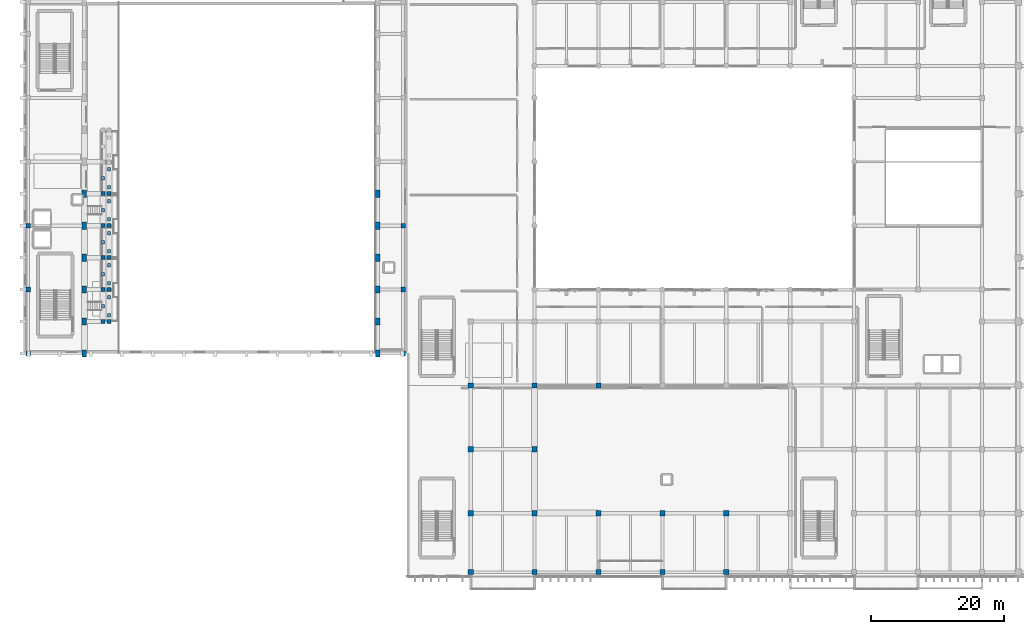
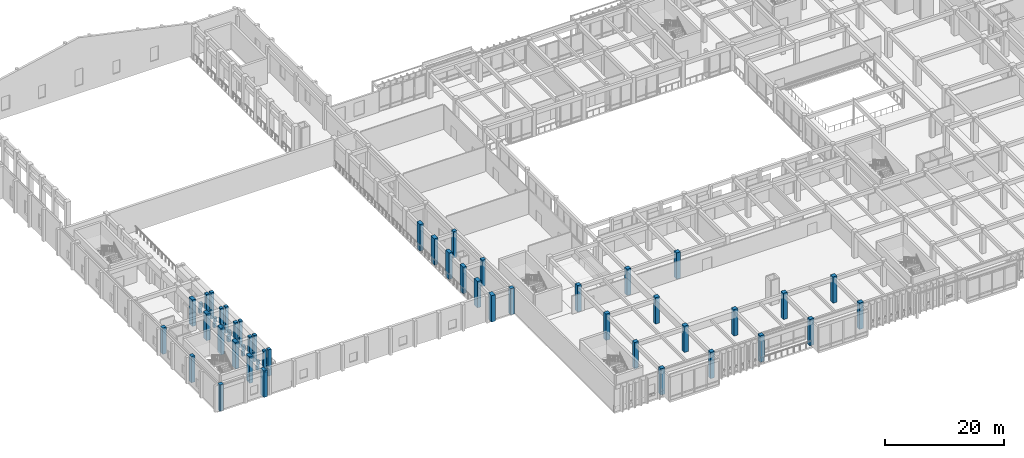
# One storey, part 1 of 134: 58 columns.
"""IFC4 building model written with IfcOpenShell, lengths in metres."""

import ifcopenshell
import ifcopenshell.guid

model = None  # the IFC model being written
_history = None  # IfcOwnerHistory: only IFC2X3 demands one
_inside = {}  # id of a spatial element -> (the spatial element, [elements in it])
_under = {}  # id of a project, library or spatial element -> (it, [spatial elements below it])
_declared = {}  # id of a project -> (the project, [libraries it declares])
_typed = {}  # id of a type object -> (the type object, [elements of that type])
_made_of = {}  # id of a material, layer set ... -> (it, [elements and type objects made of it])


def new_model(schema):
    """Start an empty IFC model of exactly this schema.

    Asked for "IFC4X3", IfcOpenShell would pick the latest addendum, in which some entities
    have other attributes; the version numbers below select the first issue.
    IFC2X3 requires an IfcOwnerHistory on every rooted entity: one is made here for all.
    """
    global model, _history
    if schema == "IFC4X3":
        model = ifcopenshell.file(schema_version=(4, 3, 0, 0))
    else:
        model = ifcopenshell.file(schema=schema)
    _inside.clear()
    _under.clear()
    _declared.clear()
    _typed.clear()
    _made_of.clear()
    _history = None
    if model.schema == "IFC2X3":
        org = make("IfcOrganization", Name="unknown")
        user = make(
            "IfcPersonAndOrganization",
            ThePerson=make("IfcPerson", FamilyName="unknown"),
            TheOrganization=org,
        )
        app = make(
            "IfcApplication",
            ApplicationDeveloper=org,
            Version="unknown",
            ApplicationFullName="unknown",
            ApplicationIdentifier="unknown",
        )
        _history = make(
            "IfcOwnerHistory",
            OwningUser=user,
            OwningApplication=app,
            ChangeAction="ADDED",
            CreationDate=0,
        )
    return model


def make(cls, **values):
    """One entity of the class cls with the attributes given. An attribute that is None is left unset."""
    return model.create_entity(
        cls, **{name: value for name, value in values.items() if value is not None}
    )


def rooted(cls, **values):
    """An entity with a GlobalId (a new one), such as an element, a storey or a relation."""
    return make(cls, GlobalId=ifcopenshell.guid.new(), OwnerHistory=_history, **values)


def si_unit(unit_type, name, prefix=None):
    """IfcSIUnit, for example si_unit("LENGTHUNIT", "METRE", prefix="MILLI")."""
    return make("IfcSIUnit", UnitType=unit_type, Prefix=prefix, Name=name)


def assignment(units):
    """IfcUnitAssignment: the units of a project."""
    return None if units is None else make("IfcUnitAssignment", Units=units)


def point(xyz):
    """IfcCartesianPoint."""
    return None if xyz is None else make("IfcCartesianPoint", Coordinates=xyz)


def direction(xyz):
    """IfcDirection."""
    return None if xyz is None else make("IfcDirection", DirectionRatios=xyz)


def frame(location, z_axis=None, x_axis=None):
    """IfcAxis2Placement3D, a coordinate frame: its origin and axes. An axis left out is left unset."""
    return make(
        "IfcAxis2Placement3D",
        Location=point(location),
        Axis=direction(z_axis),
        RefDirection=direction(x_axis),
    )


def frame_2d(location, x_axis=None):
    """IfcAxis2Placement2D, a coordinate frame in the plane: its origin and x axis."""
    return make(
        "IfcAxis2Placement2D", Location=point(location), RefDirection=direction(x_axis)
    )


def origin():
    """The frame at (0, 0, 0) with its axes left unset."""
    return frame((0.0, 0.0, 0.0))


def origin_2d():
    """The frame at (0, 0) in the plane with its x axis left unset."""
    return frame_2d((0.0, 0.0))


def place(relative_to, where):
    """IfcLocalPlacement: puts the frame where relative to a parent placement (None: the world)."""
    return make(
        "IfcLocalPlacement", PlacementRelTo=relative_to, RelativePlacement=where
    )


def context(
    kind, dimensions, precision=None, world=None, true_north=None, identifier=None
):
    """IfcGeometricRepresentationContext, for example the 3D "Model" context."""
    return make(
        "IfcGeometricRepresentationContext",
        ContextIdentifier=identifier,
        ContextType=kind,
        CoordinateSpaceDimension=dimensions,
        Precision=precision,
        WorldCoordinateSystem=world,
        TrueNorth=true_north,
    )


def subcontext(parent, identifier, kind, view, scale=None):
    """IfcGeometricRepresentationSubContext, for example "Body" below "Model"."""
    return make(
        "IfcGeometricRepresentationSubContext",
        ContextIdentifier=identifier,
        ContextType=kind,
        ParentContext=parent,
        TargetScale=scale,
        TargetView=view,
    )


def project(units=None, contexts=None):
    """IfcProject with its units and contexts."""
    return rooted(
        "IfcProject",
        Name="project",
        RepresentationContexts=contexts,
        UnitsInContext=assignment(units),
    )


def spatial(cls, under=None, at=None, **own):
    """A site, building, storey or space (cls), placed at a placement, below another one or the project."""
    s = rooted(cls, ObjectPlacement=at, **own)
    if under is not None:
        _under.setdefault(under.id(), (under, []))[1].append(s)
    return s


def profile(cls, at=None, kind="AREA", **sizes):
    """A parametric profile (cls). Its sizes go by their IFC names, for example OverallWidth=200.0."""
    return make(cls, ProfileType=kind, Position=at, **sizes)


def rectangle(**sizes):
    """IfcRectangleProfileDef."""
    return profile("IfcRectangleProfileDef", **sizes)


def extrude(swept, where, along, depth):
    """IfcExtrudedAreaSolid: the profile swept, set in the frame where, extruded along a direction by depth."""
    return make(
        "IfcExtrudedAreaSolid",
        SweptArea=swept,
        Position=where,
        ExtrudedDirection=direction(along),
        Depth=depth,
    )


def shape(context_of_items, identifier, shape_type, items):
    """IfcShapeRepresentation: the items that make up one representation, for example the "Body"."""
    return make(
        "IfcShapeRepresentation",
        ContextOfItems=context_of_items,
        RepresentationIdentifier=identifier,
        RepresentationType=shape_type,
        Items=items,
    )


def material(Name=None, Category=None):
    """IfcMaterial."""
    return make("IfcMaterial", Name=Name, Category=Category)


def material_profile(
    of_material, cross_section, Name=None, Category=None, Priority=None
):
    """IfcMaterialProfile: a cross section and its material."""
    return make(
        "IfcMaterialProfile",
        Name=Name,
        Material=of_material,
        Profile=cross_section,
        Priority=Priority,
        Category=Category,
    )


def profile_set(profiles, Name=None, composite=None):
    """IfcMaterialProfileSet."""
    return make(
        "IfcMaterialProfileSet",
        Name=Name,
        MaterialProfiles=profiles,
        CompositeProfile=composite,
    )


def made_of(thing, what):
    """Note that an element or type object is made of a material, layer set ...; save() writes the relation."""
    if what is not None:
        _made_of.setdefault(what.id(), (what, []))[1].append(thing)
    return thing


def type_object(cls, material=None, **own):
    """A type object (cls), such as IfcWallType, which elements share."""
    return made_of(rooted(cls, **own), material)


def element(
    cls,
    number,
    at=None,
    inside=None,
    cuts=None,
    type_object=None,
    material=None,
    context=None,
    identifier="Body",
    shape_type=None,
    held_by="IfcProductDefinitionShape",
    body=None,
    shapes=None,
    **own,
):
    """One element of the class cls, such as IfcWall. Its Tag is "e" and its number.

    at: its placement. inside: the storey or other place that contains it. cuts: it is an
    opening in that element (IfcRelVoidsElement). A single representation is given by context,
    identifier, shape_type and body (its items); several are given by shapes. held_by: the class
    of the entity that holds the representations. save() writes the other relations.
    """
    e = rooted(cls, Tag="e%d" % number, ObjectPlacement=at, **own)
    if body is not None:
        shapes = [shape(context, identifier, shape_type, body)]
    if shapes is not None:
        e.Representation = make(held_by, Representations=shapes)
    if inside is not None:
        _inside.setdefault(inside.id(), (inside, []))[1].append(e)
    if cuts is not None:
        rooted(
            "IfcRelVoidsElement", RelatingBuildingElement=cuts, RelatedOpeningElement=e
        )
    if type_object is not None:
        _typed.setdefault(type_object.id(), (type_object, []))[1].append(e)
    return made_of(e, material)


def aggregate(whole, parts):
    """IfcRelAggregates: a whole, such as a stair, and the parts it consists of."""
    return rooted("IfcRelAggregates", RelatingObject=whole, RelatedObjects=parts)


def save(model, path):
    """Write the relations noted so far, then the file.

    IfcRelAggregates (storeys below a building ...), IfcRelContainedInSpatialStructure (elements
    in a storey), IfcRelDefinesByType, IfcRelAssociatesMaterial and IfcRelDeclares: one each for
    every whole, place, type object, material and project.
    """
    for whole, parts in _under.values():
        aggregate(whole, parts)
    for where, things in _inside.values():
        rooted(
            "IfcRelContainedInSpatialStructure",
            RelatedElements=things,
            RelatingStructure=where,
        )
    for kind, things in _typed.values():
        rooted("IfcRelDefinesByType", RelatedObjects=things, RelatingType=kind)
    for what, things in _made_of.values():
        rooted("IfcRelAssociatesMaterial", RelatedObjects=things, RelatingMaterial=what)
    for by, libraries in _declared.values():
        rooted("IfcRelDeclares", RelatingContext=by, RelatedDefinitions=libraries)
    model.write(path)


model = new_model("IFC4")

# Units and contexts
model_context = context("Model", 3, precision=1e-05, world=origin(), true_north=direction((0.0, 1.0)))
body_context = subcontext(model_context, "Body", "Model", "MODEL_VIEW")
ifc_project = project(units=[si_unit("LENGTHUNIT", "METRE"), si_unit("AREAUNIT", "SQUARE_METRE"), si_unit("VOLUMEUNIT", "CUBIC_METRE"), si_unit("PLANEANGLEUNIT", "RADIAN"), si_unit("MASSUNIT", "GRAM", prefix="KILO")], contexts=[model_context])

# Site, building, storey
site_placement = place(None, origin())
site = spatial("IfcSite", under=ifc_project, at=site_placement, CompositionType="ELEMENT")
building_placement = place(site_placement, origin())
building = spatial("IfcBuilding", under=site, at=building_placement, Name="Nakhvara Creek Congress Hotel", CompositionType="ELEMENT")
storey_placement = place(building_placement, frame((0.0, 0.0, 6.0)))
storey = spatial("IfcBuildingStorey", under=building, at=storey_placement, Name="L01", CompositionType="ELEMENT", Elevation=6.0)

# Columns
ifc_material = material(Name="Concrete C50/60", Category="concrete")
ifc_material_profile_1 = material_profile(ifc_material, rectangle(XDim=0.5, YDim=0.5, at=origin_2d()), Name="RC-COL 500x500", Category="LoadBearing")
ifc_profile_set_1 = profile_set([ifc_material_profile_1], Name="Concrete C50/60")
column_type_1 = type_object("IfcColumnType", Name="COL-RC-500", PredefinedType="COLUMN", material=ifc_profile_set_1)
for number, where, z_axis, x_axis, name in (
    (1, (12.85009765625, 39.35009765625, 0.0), (0.0, 0.0, 1.0), (1.0, 0.0, 0.0), "Congress Stand Riser Pier L01-1.1"),
    (2, (12.85009765625, 42.050048828125, 0.0), (0.0, 0.0, 1.0), (1.0, 0.0, 0.0), "Congress Stand Riser Pier L01-1.2"),
    (3, (11.949951171875, 40.699951171875, 0.0), (0.0, 0.0, 1.0), (1.0, 0.0, 0.0), "Congress Stand Riser Pier L01-1.3"),
):
    element("IfcColumn", number, at=place(storey_placement, frame(where, z_axis=z_axis, x_axis=x_axis)), inside=storey, type_object=column_type_1, Name=name, PredefinedType="COLUMN", context=body_context, shape_type="SweptSolid", body=[
        extrude(rectangle(XDim=0.5, YDim=0.5, at=origin_2d()), origin(), (0.0, 0.0, 1.0), 0.860107421875),
    ])
for number, where, z_axis, x_axis, name in (
    (4, (12.85009765625, 44.14990234375, 0.0), (0.0, 0.0, 1.0), (1.0, 0.0, 0.0), "Congress Stand Riser Pier L01-2.1"),
    (5, (12.85009765625, 46.85009765625, 0.0), (0.0, 0.0, 1.0), (1.0, 0.0, 0.0), "Congress Stand Riser Pier L01-2.2"),
    (6, (11.949951171875, 45.5, 0.0), (0.0, 0.0, 1.0), (1.0, 0.0, 0.0), "Congress Stand Riser Pier L01-2.3"),
):
    element("IfcColumn", number, at=place(storey_placement, frame(where, z_axis=z_axis, x_axis=x_axis)), inside=storey, type_object=column_type_1, Name=name, PredefinedType="COLUMN", context=body_context, shape_type="SweptSolid", body=[
        extrude(rectangle(XDim=0.5, YDim=0.5, at=origin_2d()), origin(), (0.0, 0.0, 1.0), 1.010009765625),
    ])
for number, where, z_axis, x_axis, name in (
    (7, (12.85009765625, 48.949951171875, 0.0), (0.0, 0.0, 1.0), (1.0, 0.0, 0.0), "Congress Stand Riser Pier L01-3.1"),
    (8, (12.85009765625, 51.64990234375, 0.0), (0.0, 0.0, 1.0), (1.0, 0.0, 0.0), "Congress Stand Riser Pier L01-3.2"),
    (9, (11.949951171875, 50.300048828125, 0.0), (0.0, 0.0, 1.0), (1.0, 0.0, 0.0), "Congress Stand Riser Pier L01-3.3"),
):
    element("IfcColumn", number, at=place(storey_placement, frame(where, z_axis=z_axis, x_axis=x_axis)), inside=storey, type_object=column_type_1, Name=name, PredefinedType="COLUMN", context=body_context, shape_type="SweptSolid", body=[
        extrude(rectangle(XDim=0.5, YDim=0.5, at=origin_2d()), origin(), (0.0, 0.0, 1.0), 1.159912109375),
    ])
for number, where, z_axis, x_axis, name in (
    (10, (12.85009765625, 53.75, 0.0), (0.0, 0.0, 1.0), (1.0, 0.0, 0.0), "Congress Stand Riser Pier L01-4.1"),
    (11, (12.85009765625, 56.449951171875, 0.0), (0.0, 0.0, 1.0), (1.0, 0.0, 0.0), "Congress Stand Riser Pier L01-4.2"),
    (12, (11.949951171875, 55.10009765625, 0.0), (0.0, 0.0, 1.0), (1.0, 0.0, 0.0), "Congress Stand Riser Pier L01-4.3"),
):
    element("IfcColumn", number, at=place(storey_placement, frame(where, z_axis=z_axis, x_axis=x_axis)), inside=storey, type_object=column_type_1, Name=name, PredefinedType="COLUMN", context=body_context, shape_type="SweptSolid", body=[
        extrude(rectangle(XDim=0.5, YDim=0.5, at=origin_2d()), origin(), (0.0, 0.0, 1.0), 0.860107421875),
    ])
for number, where, z_axis, x_axis, name in (
    (13, (12.85009765625, 58.550048828125, 0.0), (0.0, 0.0, 1.0), (1.0, 0.0, 0.0), "Congress Stand Riser Pier L01-5.1"),
    (14, (12.85009765625, 61.25, 0.0), (0.0, 0.0, 1.0), (1.0, 0.0, 0.0), "Congress Stand Riser Pier L01-5.2"),
    (15, (11.949951171875, 59.89990234375, 0.0), (0.0, 0.0, 1.0), (1.0, 0.0, 0.0), "Congress Stand Riser Pier L01-5.3"),
):
    element("IfcColumn", number, at=place(storey_placement, frame(where, z_axis=z_axis, x_axis=x_axis)), inside=storey, type_object=column_type_1, Name=name, PredefinedType="COLUMN", context=body_context, shape_type="SweptSolid", body=[
        extrude(rectangle(XDim=0.5, YDim=0.5, at=origin_2d()), origin(), (0.0, 0.0, 1.0), 1.010009765625),
    ])
ifc_material_profile_2 = material_profile(ifc_material, rectangle(XDim=0.60009765625, YDim=0.60009765625, at=origin_2d()), Name="RC-COL 600x600", Category="LoadBearing")
ifc_profile_set_2 = profile_set([ifc_material_profile_2], Name="Concrete C50/60")
column_type_2 = type_object("IfcColumnType", Name="COL-RC-600", PredefinedType="COLUMN", material=ifc_profile_set_2)
for number, where, z_axis, x_axis, name in (
    (16, (11.949951171875, 38.39990234375, 0.0), (0.0, 0.0, 1.0), (1.0, 0.0, 0.0), "Column C08-L01-0856"),
    (17, (12.85009765625, 38.39990234375, 0.0), (0.0, 0.0, 1.0), (1.0, 0.0, 0.0), "Column C08-L01-0857"),
    (18, (11.949951171875, 43.199951171875, 0.0), (0.0, 0.0, 1.0), (1.0, 0.0, 0.0), "Column C08-L01-0858"),
    (19, (12.85009765625, 43.199951171875, 0.0), (0.0, 0.0, 1.0), (1.0, 0.0, 0.0), "Column C08-L01-0859"),
    (20, (11.949951171875, 48.0, 0.0), (0.0, 0.0, 1.0), (1.0, 0.0, 0.0), "Column C08-L01-0860"),
    (21, (12.85009765625, 48.0, 0.0), (0.0, 0.0, 1.0), (1.0, 0.0, 0.0), "Column C08-L01-0861"),
    (22, (11.949951171875, 52.800048828125, 0.0), (0.0, 0.0, 1.0), (1.0, 0.0, 0.0), "Column C08-L01-0862"),
    (23, (12.85009765625, 52.800048828125, 0.0), (0.0, 0.0, 1.0), (1.0, 0.0, 0.0), "Column C08-L01-0863"),
    (24, (11.949951171875, 57.60009765625, 0.0), (0.0, 0.0, 1.0), (1.0, 0.0, 0.0), "Column C08-L01-0864"),
    (25, (12.85009765625, 57.60009765625, 0.0), (0.0, 0.0, 1.0), (1.0, 0.0, 0.0), "Column C08-L01-0865"),
):
    element("IfcColumn", number, at=place(storey_placement, frame(where, z_axis=z_axis, x_axis=x_axis)), inside=storey, type_object=column_type_2, Name=name, PredefinedType="COLUMN", context=body_context, shape_type="SweptSolid", body=[
        extrude(rectangle(XDim=0.60009765625, YDim=0.60009765625, at=origin_2d()), origin(), (0.0, 0.0, 1.0), 5.39990234375),
    ])
ifc_material_profile_3 = material_profile(ifc_material, rectangle(XDim=0.699951171875, YDim=0.699951171875, at=origin_2d()), Name="RC-COL 700x700", Category="LoadBearing")
ifc_profile_set_3 = profile_set([ifc_material_profile_3], Name="Concrete C50/60")
column_type_3 = type_object("IfcColumnType", Name="COL-RC-700", PredefinedType="COLUMN", material=ifc_profile_set_3)
for number, where, z_axis, x_axis, name in (
    (26, (0.75, 33.60009765625, 0.0), (0.0, 0.0, 1.0), (1.0, 0.0, 0.0), "Column C06-L01-0818"),
    (27, (57.050048828125, 33.60009765625, 0.0), (0.0, 0.0, 1.0), (1.0, 0.0, 0.0), "Column C06-L01-0819"),
    (28, (0.75, 43.199951171875, 0.0), (0.0, 0.0, 1.0), (1.0, 0.0, 0.0), "Column C06-L01-0820"),
    (29, (57.050048828125, 43.199951171875, 0.0), (0.0, 0.0, 1.0), (1.0, 0.0, 0.0), "Column C06-L01-0821"),
    (30, (0.75, 52.800048828125, 0.0), (0.0, 0.0, 1.0), (1.0, 0.0, 0.0), "Column C06-L01-0822"),
    (31, (57.050048828125, 52.800048828125, 0.0), (0.0, 0.0, 1.0), (1.0, 0.0, 0.0), "Column C06-L01-0823"),
):
    element("IfcColumn", number, at=place(storey_placement, frame(where, z_axis=z_axis, x_axis=x_axis)), inside=storey, type_object=column_type_3, Name=name, PredefinedType="COLUMN", context=body_context, shape_type="SweptSolid", body=[
        extrude(rectangle(XDim=0.699951171875, YDim=0.699951171875, at=origin_2d()), origin(), (0.0, 0.0, 1.0), 5.39990234375),
    ])
ifc_material_profile_4 = material_profile(ifc_material, rectangle(XDim=0.699951171875, YDim=1.10009765625, at=origin_2d()), Name="RC-COL 700x1100", Category="LoadBearing")
ifc_profile_set_4 = profile_set([ifc_material_profile_4], Name="Concrete C50/60")
column_type_4 = type_object("IfcColumnType", Name="COL-RC-700X1100", PredefinedType="COLUMN", material=ifc_profile_set_4)
for number, where, z_axis, x_axis, name in (
    (32, (9.14990234375, 33.60009765625, 0.0), (0.0, 0.0, 1.0), (1.0, 0.0, 0.0), "Column C12-L01-0832"),
    (33, (53.25, 33.60009765625, 0.0), (0.0, 0.0, 1.0), (1.0, 0.0, 0.0), "Column C12-L01-0833"),
    (34, (9.14990234375, 38.39990234375, 0.0), (0.0, 0.0, 1.0), (1.0, 0.0, 0.0), "Column C12-L01-0834"),
    (35, (53.25, 38.39990234375, 0.0), (0.0, 0.0, 1.0), (1.0, 0.0, 0.0), "Column C12-L01-0835"),
    (36, (9.14990234375, 43.199951171875, 0.0), (0.0, 0.0, 1.0), (1.0, 0.0, 0.0), "Column C12-L01-0836"),
    (37, (53.25, 43.199951171875, 0.0), (0.0, 0.0, 1.0), (1.0, 0.0, 0.0), "Column C12-L01-0837"),
    (38, (9.14990234375, 48.0, 0.0), (0.0, 0.0, 1.0), (1.0, 0.0, 0.0), "Column C12-L01-0838"),
    (39, (53.25, 48.0, 0.0), (0.0, 0.0, 1.0), (1.0, 0.0, 0.0), "Column C12-L01-0839"),
    (40, (9.14990234375, 52.800048828125, 0.0), (0.0, 0.0, 1.0), (1.0, 0.0, 0.0), "Column C12-L01-0840"),
    (41, (53.25, 52.800048828125, 0.0), (0.0, 0.0, 1.0), (1.0, 0.0, 0.0), "Column C12-L01-0841"),
    (42, (9.14990234375, 57.60009765625, 0.0), (0.0, 0.0, 1.0), (1.0, 0.0, 0.0), "Column C12-L01-0842"),
    (43, (53.25, 57.60009765625, 0.0), (0.0, 0.0, 1.0), (1.0, 0.0, 0.0), "Column C12-L01-0843"),
):
    element("IfcColumn", number, at=place(storey_placement, frame(where, z_axis=z_axis, x_axis=x_axis)), inside=storey, type_object=column_type_4, Name=name, PredefinedType="COLUMN", context=body_context, shape_type="SweptSolid", body=[
        extrude(rectangle(XDim=0.699951171875, YDim=1.10009765625, at=origin_2d()), origin(), (0.0, 0.0, 1.0), 5.39990234375),
    ])
ifc_material_profile_5 = material_profile(ifc_material, rectangle(XDim=0.780029296875, YDim=0.780029296875, at=origin_2d()), Name="RC-COL 780x780", Category="LoadBearing")
ifc_profile_set_5 = profile_set([ifc_material_profile_5], Name="Concrete C50/60")
column_type_5 = type_object("IfcColumnType", Name="COL-RC-780", PredefinedType="COLUMN", material=ifc_profile_set_5)
for number, where, z_axis, x_axis, name in (
    (44, (67.199951171875, 0.75, 0.0), (0.0, 0.0, 1.0), (1.0, 0.0, 0.0), "Column C19-L01-0892"),
    (45, (67.199951171875, 9.60009765625, 0.0), (0.0, 0.0, 1.0), (1.0, 0.0, 0.0), "Column C19-L01-0893"),
    (46, (67.199951171875, 19.199951171875, 0.0), (0.0, 0.0, 1.0), (1.0, 0.0, 0.0), "Column C19-L01-0894"),
    (47, (67.199951171875, 28.800048828125, 0.0), (0.0, 0.0, 1.0), (1.0, 0.0, 0.0), "Column C19-L01-0895"),
    (48, (76.800048828125, 0.75, 0.0), (0.0, 0.0, 1.0), (1.0, 0.0, 0.0), "Column C19-L01-0897"),
    (49, (76.800048828125, 9.60009765625, 0.0), (0.0, 0.0, 1.0), (1.0, 0.0, 0.0), "Column C19-L01-0898"),
    (50, (76.800048828125, 19.199951171875, 0.0), (0.0, 0.0, 1.0), (1.0, 0.0, 0.0), "Column C19-L01-0899"),
    (51, (76.800048828125, 28.800048828125, 0.0), (0.0, 0.0, 1.0), (1.0, 0.0, 0.0), "Column C19-L01-0900"),
    (52, (86.39990234375, 0.75, 0.0), (0.0, 0.0, 1.0), (1.0, 0.0, 0.0), "Column C19-L01-0909"),
    (53, (86.39990234375, 9.60009765625, 0.0), (0.0, 0.0, 1.0), (1.0, 0.0, 0.0), "Column C19-L01-0910"),
    (54, (86.39990234375, 28.800048828125, 0.0), (0.0, 0.0, 1.0), (1.0, 0.0, 0.0), "Column C19-L01-0911"),
    (55, (96.0, 0.75, 0.0), (0.0, 0.0, 1.0), (1.0, 0.0, 0.0), "Column C19-L01-0917"),
    (56, (96.0, 9.60009765625, 0.0), (0.0, 0.0, 1.0), (1.0, 0.0, 0.0), "Column C19-L01-0918"),
    (57, (105.60009765625, 0.75, 0.0), (0.0, 0.0, 1.0), (1.0, 0.0, 0.0), "Column C19-L01-0925"),
    (58, (105.60009765625, 9.60009765625, 0.0), (0.0, 0.0, 1.0), (1.0, 0.0, 0.0), "Column C19-L01-0926"),
):
    element("IfcColumn", number, at=place(storey_placement, frame(where, z_axis=z_axis, x_axis=x_axis)), inside=storey, type_object=column_type_5, Name=name, PredefinedType="COLUMN", context=body_context, shape_type="SweptSolid", body=[
        extrude(rectangle(XDim=0.780029296875, YDim=0.780029296875, at=origin_2d()), origin(), (0.0, 0.0, 1.0), 5.39990234375),
    ])

save(model, "model.ifc")
